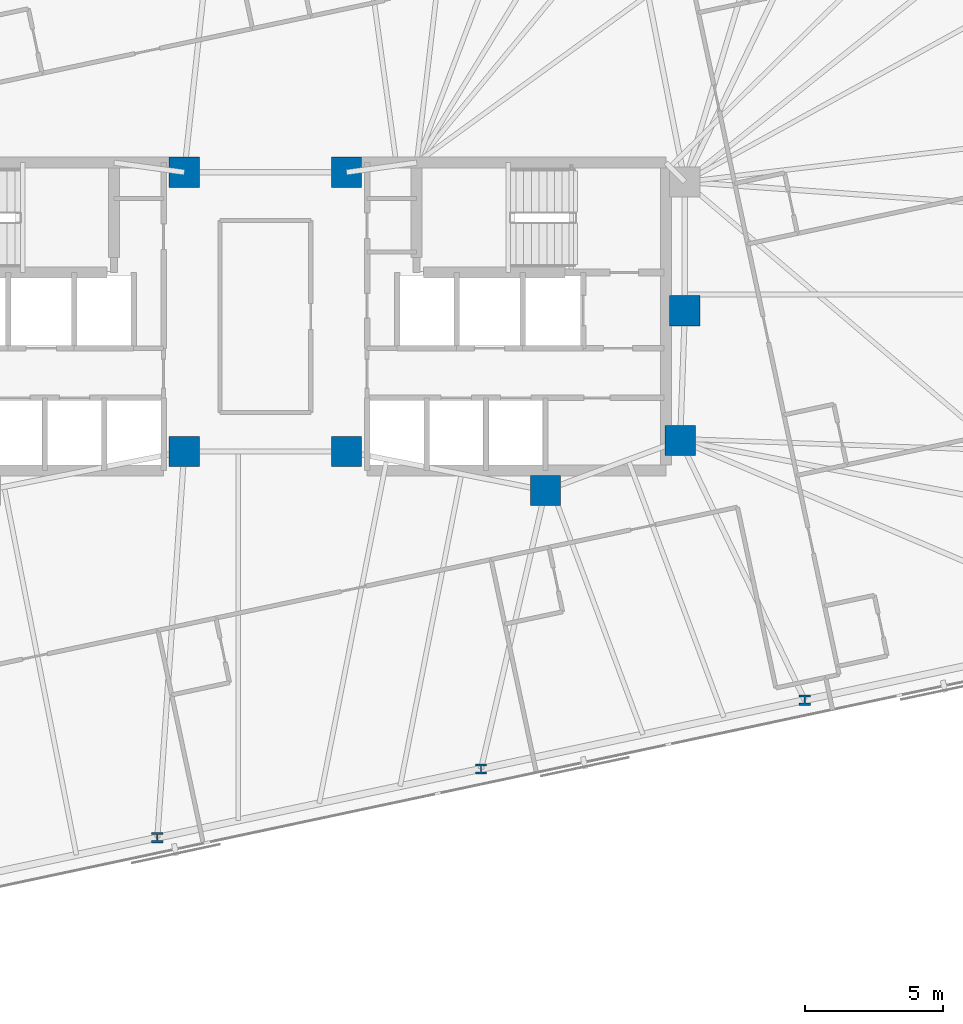
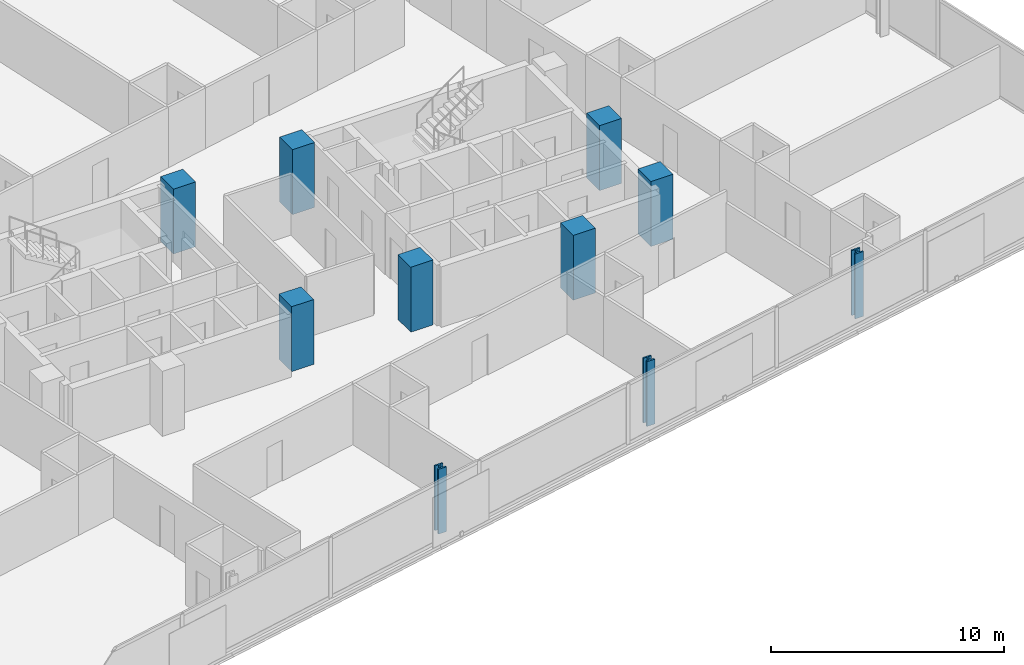
# One storey, part 3 of 19: 10 columns.
"""IFC4 building model written with IfcOpenShell, lengths in metres."""

import ifcopenshell
import ifcopenshell.guid

model = None  # the IFC model being written
_history = None  # IfcOwnerHistory: only IFC2X3 demands one
_inside = {}  # id of a spatial element -> (the spatial element, [elements in it])
_under = {}  # id of a project, library or spatial element -> (it, [spatial elements below it])
_declared = {}  # id of a project -> (the project, [libraries it declares])
_typed = {}  # id of a type object -> (the type object, [elements of that type])
_made_of = {}  # id of a material, layer set ... -> (it, [elements and type objects made of it])


def new_model(schema):
    """Start an empty IFC model of exactly this schema.

    Asked for "IFC4X3", IfcOpenShell would pick the latest addendum, in which some entities
    have other attributes; the version numbers below select the first issue.
    IFC2X3 requires an IfcOwnerHistory on every rooted entity: one is made here for all.
    """
    global model, _history
    if schema == "IFC4X3":
        model = ifcopenshell.file(schema_version=(4, 3, 0, 0))
    else:
        model = ifcopenshell.file(schema=schema)
    _inside.clear()
    _under.clear()
    _declared.clear()
    _typed.clear()
    _made_of.clear()
    _history = None
    if model.schema == "IFC2X3":
        org = make("IfcOrganization", Name="unknown")
        user = make(
            "IfcPersonAndOrganization",
            ThePerson=make("IfcPerson", FamilyName="unknown"),
            TheOrganization=org,
        )
        app = make(
            "IfcApplication",
            ApplicationDeveloper=org,
            Version="unknown",
            ApplicationFullName="unknown",
            ApplicationIdentifier="unknown",
        )
        _history = make(
            "IfcOwnerHistory",
            OwningUser=user,
            OwningApplication=app,
            ChangeAction="ADDED",
            CreationDate=0,
        )
    return model


def make(cls, **values):
    """One entity of the class cls with the attributes given. An attribute that is None is left unset."""
    return model.create_entity(
        cls, **{name: value for name, value in values.items() if value is not None}
    )


def rooted(cls, **values):
    """An entity with a GlobalId (a new one), such as an element, a storey or a relation."""
    return make(cls, GlobalId=ifcopenshell.guid.new(), OwnerHistory=_history, **values)


def si_unit(unit_type, name, prefix=None):
    """IfcSIUnit, for example si_unit("LENGTHUNIT", "METRE", prefix="MILLI")."""
    return make("IfcSIUnit", UnitType=unit_type, Prefix=prefix, Name=name)


def assignment(units):
    """IfcUnitAssignment: the units of a project."""
    return None if units is None else make("IfcUnitAssignment", Units=units)


def point(xyz):
    """IfcCartesianPoint."""
    return None if xyz is None else make("IfcCartesianPoint", Coordinates=xyz)


def direction(xyz):
    """IfcDirection."""
    return None if xyz is None else make("IfcDirection", DirectionRatios=xyz)


def frame(location, z_axis=None, x_axis=None):
    """IfcAxis2Placement3D, a coordinate frame: its origin and axes. An axis left out is left unset."""
    return make(
        "IfcAxis2Placement3D",
        Location=point(location),
        Axis=direction(z_axis),
        RefDirection=direction(x_axis),
    )


def frame_2d(location, x_axis=None):
    """IfcAxis2Placement2D, a coordinate frame in the plane: its origin and x axis."""
    return make(
        "IfcAxis2Placement2D", Location=point(location), RefDirection=direction(x_axis)
    )


def origin():
    """The frame at (0, 0, 0) with its axes left unset."""
    return frame((0.0, 0.0, 0.0))


def origin_2d():
    """The frame at (0, 0) in the plane with its x axis left unset."""
    return frame_2d((0.0, 0.0))


def place(relative_to, where):
    """IfcLocalPlacement: puts the frame where relative to a parent placement (None: the world)."""
    return make(
        "IfcLocalPlacement", PlacementRelTo=relative_to, RelativePlacement=where
    )


def context(
    kind, dimensions, precision=None, world=None, true_north=None, identifier=None
):
    """IfcGeometricRepresentationContext, for example the 3D "Model" context."""
    return make(
        "IfcGeometricRepresentationContext",
        ContextIdentifier=identifier,
        ContextType=kind,
        CoordinateSpaceDimension=dimensions,
        Precision=precision,
        WorldCoordinateSystem=world,
        TrueNorth=true_north,
    )


def subcontext(parent, identifier, kind, view, scale=None):
    """IfcGeometricRepresentationSubContext, for example "Body" below "Model"."""
    return make(
        "IfcGeometricRepresentationSubContext",
        ContextIdentifier=identifier,
        ContextType=kind,
        ParentContext=parent,
        TargetScale=scale,
        TargetView=view,
    )


def project(units=None, contexts=None):
    """IfcProject with its units and contexts."""
    return rooted(
        "IfcProject",
        Name="project",
        RepresentationContexts=contexts,
        UnitsInContext=assignment(units),
    )


def spatial(cls, under=None, at=None, **own):
    """A site, building, storey or space (cls), placed at a placement, below another one or the project."""
    s = rooted(cls, ObjectPlacement=at, **own)
    if under is not None:
        _under.setdefault(under.id(), (under, []))[1].append(s)
    return s


def profile(cls, at=None, kind="AREA", **sizes):
    """A parametric profile (cls). Its sizes go by their IFC names, for example OverallWidth=200.0."""
    return make(cls, ProfileType=kind, Position=at, **sizes)


def rectangle(**sizes):
    """IfcRectangleProfileDef."""
    return profile("IfcRectangleProfileDef", **sizes)


def i_section(**sizes):
    """IfcIShapeProfileDef."""
    return profile("IfcIShapeProfileDef", **sizes)


def extrude(swept, where, along, depth):
    """IfcExtrudedAreaSolid: the profile swept, set in the frame where, extruded along a direction by depth."""
    return make(
        "IfcExtrudedAreaSolid",
        SweptArea=swept,
        Position=where,
        ExtrudedDirection=direction(along),
        Depth=depth,
    )


def shape(context_of_items, identifier, shape_type, items):
    """IfcShapeRepresentation: the items that make up one representation, for example the "Body"."""
    return make(
        "IfcShapeRepresentation",
        ContextOfItems=context_of_items,
        RepresentationIdentifier=identifier,
        RepresentationType=shape_type,
        Items=items,
    )


def material(Name=None, Category=None):
    """IfcMaterial."""
    return make("IfcMaterial", Name=Name, Category=Category)


def material_profile(
    of_material, cross_section, Name=None, Category=None, Priority=None
):
    """IfcMaterialProfile: a cross section and its material."""
    return make(
        "IfcMaterialProfile",
        Name=Name,
        Material=of_material,
        Profile=cross_section,
        Priority=Priority,
        Category=Category,
    )


def profile_set(profiles, Name=None, composite=None):
    """IfcMaterialProfileSet."""
    return make(
        "IfcMaterialProfileSet",
        Name=Name,
        MaterialProfiles=profiles,
        CompositeProfile=composite,
    )


def made_of(thing, what):
    """Note that an element or type object is made of a material, layer set ...; save() writes the relation."""
    if what is not None:
        _made_of.setdefault(what.id(), (what, []))[1].append(thing)
    return thing


def type_object(cls, material=None, **own):
    """A type object (cls), such as IfcWallType, which elements share."""
    return made_of(rooted(cls, **own), material)


def element(
    cls,
    number,
    at=None,
    inside=None,
    cuts=None,
    type_object=None,
    material=None,
    context=None,
    identifier="Body",
    shape_type=None,
    held_by="IfcProductDefinitionShape",
    body=None,
    shapes=None,
    **own,
):
    """One element of the class cls, such as IfcWall. Its Tag is "e" and its number.

    at: its placement. inside: the storey or other place that contains it. cuts: it is an
    opening in that element (IfcRelVoidsElement). A single representation is given by context,
    identifier, shape_type and body (its items); several are given by shapes. held_by: the class
    of the entity that holds the representations. save() writes the other relations.
    """
    e = rooted(cls, Tag="e%d" % number, ObjectPlacement=at, **own)
    if body is not None:
        shapes = [shape(context, identifier, shape_type, body)]
    if shapes is not None:
        e.Representation = make(held_by, Representations=shapes)
    if inside is not None:
        _inside.setdefault(inside.id(), (inside, []))[1].append(e)
    if cuts is not None:
        rooted(
            "IfcRelVoidsElement", RelatingBuildingElement=cuts, RelatedOpeningElement=e
        )
    if type_object is not None:
        _typed.setdefault(type_object.id(), (type_object, []))[1].append(e)
    return made_of(e, material)


def aggregate(whole, parts):
    """IfcRelAggregates: a whole, such as a stair, and the parts it consists of."""
    return rooted("IfcRelAggregates", RelatingObject=whole, RelatedObjects=parts)


def save(model, path):
    """Write the relations noted so far, then the file.

    IfcRelAggregates (storeys below a building ...), IfcRelContainedInSpatialStructure (elements
    in a storey), IfcRelDefinesByType, IfcRelAssociatesMaterial and IfcRelDeclares: one each for
    every whole, place, type object, material and project.
    """
    for whole, parts in _under.values():
        aggregate(whole, parts)
    for where, things in _inside.values():
        rooted(
            "IfcRelContainedInSpatialStructure",
            RelatedElements=things,
            RelatingStructure=where,
        )
    for kind, things in _typed.values():
        rooted("IfcRelDefinesByType", RelatedObjects=things, RelatingType=kind)
    for what, things in _made_of.values():
        rooted("IfcRelAssociatesMaterial", RelatedObjects=things, RelatingMaterial=what)
    for by, libraries in _declared.values():
        rooted("IfcRelDeclares", RelatingContext=by, RelatedDefinitions=libraries)
    model.write(path)


model = new_model("IFC4")

# Units and contexts
model_context = context("Model", 3, precision=1e-05, world=origin(), true_north=direction((0.0, 1.0)))
body_context = subcontext(model_context, "Body", "Model", "MODEL_VIEW")
ifc_project = project(units=[si_unit("LENGTHUNIT", "METRE"), si_unit("AREAUNIT", "SQUARE_METRE"), si_unit("VOLUMEUNIT", "CUBIC_METRE"), si_unit("PLANEANGLEUNIT", "RADIAN"), si_unit("MASSUNIT", "GRAM", prefix="KILO")], contexts=[model_context])

# Site, building, storey
site_placement = place(None, origin())
site = spatial("IfcSite", under=ifc_project, at=site_placement, CompositionType="ELEMENT")
building_placement = place(site_placement, origin())
building = spatial("IfcBuilding", under=site, at=building_placement, Name="Menara Jurai Vektor", CompositionType="ELEMENT")
storey_placement = place(building_placement, frame((0.0, 0.0, 195.60009765625)))
storey = spatial("IfcBuildingStorey", under=building, at=storey_placement, Name="L51", CompositionType="ELEMENT", Elevation=195.60009765625)

# Columns
ifc_material_1 = material(Name="Concrete C50/60", Category="concrete")
ifc_material_profile_1 = material_profile(ifc_material_1, rectangle(XDim=1.10009765625, YDim=1.10009765625, at=origin_2d()), Name="RC 1100x1100")
ifc_profile_set_1 = profile_set([ifc_material_profile_1], Name="Concrete C50/60")
column_type_1 = type_object("IfcColumnType", Name="STR-COL-RC1100", PredefinedType="COLUMN", material=ifc_profile_set_1)
for number, where, z_axis, x_axis, name in (
    (1, (-2.949951171875, -4.89990234375, 0.0), (0.0, 0.0, 1.0), (1.0, 0.0, 0.0), "Core Spine Column CW-SE L51"),
    (2, (-2.949951171875, 5.25, 0.0), (0.0, 0.0, 1.0), (1.0, 0.0, 0.0), "Core Spine Column CW-NE L51"),
    (3, (15.25, 0.219970703125, 0.0), (0.0, 0.0, 1.0), (1.0, 0.0, 0.0), "Core Spine Column CE-EM L51"),
    (4, (15.080078125, -4.5, 0.0), (0.0, 0.0, 1.0), (1.0, 0.0, 0.0), "Core Spine Column CE-SE L51"),
    (5, (10.179931640625, -6.320068359375, 0.0), (0.0, 0.0, 1.0), (1.0, 0.0, 0.0), "Core Spine Column CE-SM L51"),
    (6, (2.949951171875, -4.89990234375, 0.0), (0.0, 0.0, 1.0), (1.0, 0.0, 0.0), "Core Spine Column CE-SW L51"),
    (7, (2.949951171875, 5.25, 0.0), (0.0, 0.0, 1.0), (1.0, 0.0, 0.0), "Core Spine Column CE-NW L51"),
):
    element("IfcColumn", number, at=place(storey_placement, frame(where, z_axis=z_axis, x_axis=x_axis)), inside=storey, type_object=column_type_1, Name=name, PredefinedType="COLUMN", context=body_context, shape_type="SweptSolid", body=[
        extrude(rectangle(XDim=1.10009765625, YDim=1.10009765625, at=origin_2d()), origin(), (0.0, 0.0, 1.0), 3.39990234375),
    ])
ifc_material_2 = material(Name="Steel S460", Category="steel")
ifc_material_profile_2 = material_profile(ifc_material_2, i_section(OverallWidth=0.408935546875, OverallDepth=0.3740234375, WebThickness=0.048095703125, FlangeThickness=0.076904296875, FilletRadius=0.014892578125, at=origin_2d()), Name="HD 400x634")
ifc_profile_set_2 = profile_set([ifc_material_profile_2], Name="Steel S460")
column_type_2 = type_object("IfcColumnType", Name="STR-EXO-BLK3", PredefinedType="COLUMN", material=ifc_profile_set_2)
for number, where, z_axis, x_axis, name in (
    (8, (-3.928466796875, -18.94287109375, 0.0), (0.0, 0.0, 1.0), (1.0, 0.0, 0.0), "Exoskeleton Column BLK3-S3 L51"),
    (9, (7.83984375, -16.44140625, 0.0), (0.0, 0.0, 1.0), (1.0, 0.0, 0.0), "Exoskeleton Column BLK3-S4 L51"),
    (10, (19.608154296875, -13.940185546875, 0.0), (0.0, 0.0, 1.0), (1.0, 0.0, 0.0), "Exoskeleton Column BLK3-S5 L51"),
):
    element("IfcColumn", number, at=place(storey_placement, frame(where, z_axis=z_axis, x_axis=x_axis)), inside=storey, type_object=column_type_2, Name=name, PredefinedType="COLUMN", context=body_context, shape_type="SweptSolid", body=[
        extrude(i_section(OverallWidth=0.408935546875, OverallDepth=0.3740234375, WebThickness=0.048095703125, FlangeThickness=0.076904296875, FilletRadius=0.014892578125, at=origin_2d()), origin(), (0.0, 0.0, 1.0), 3.39990234375),
    ])

save(model, "model.ifc")
